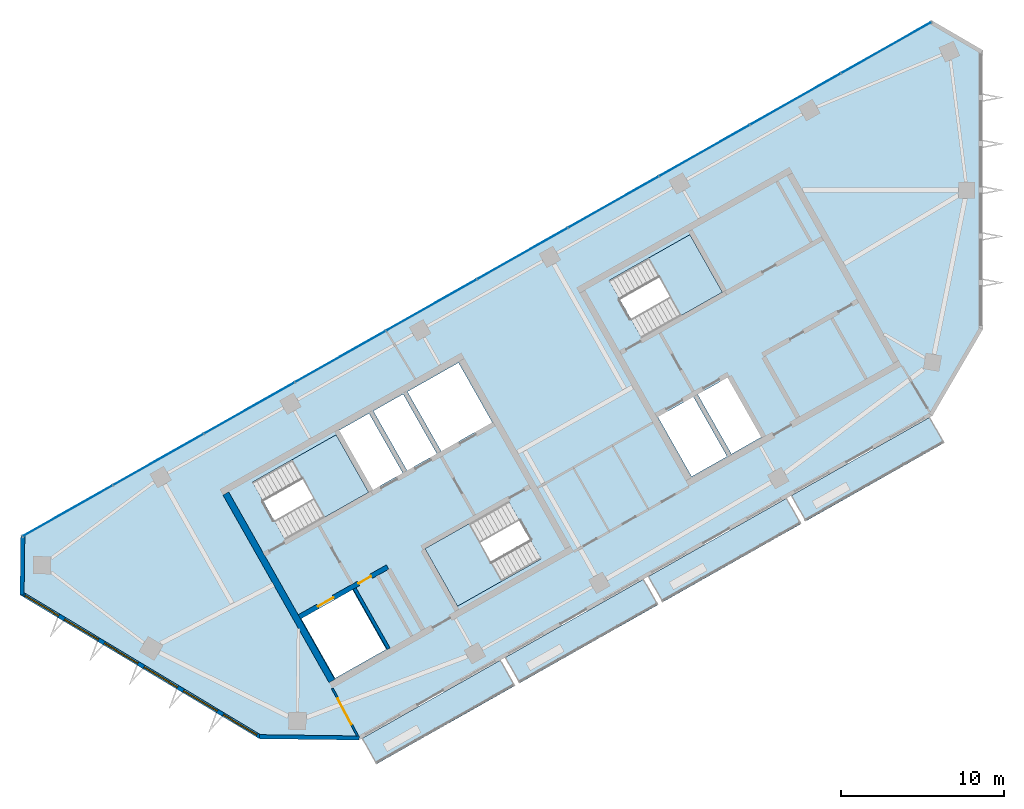
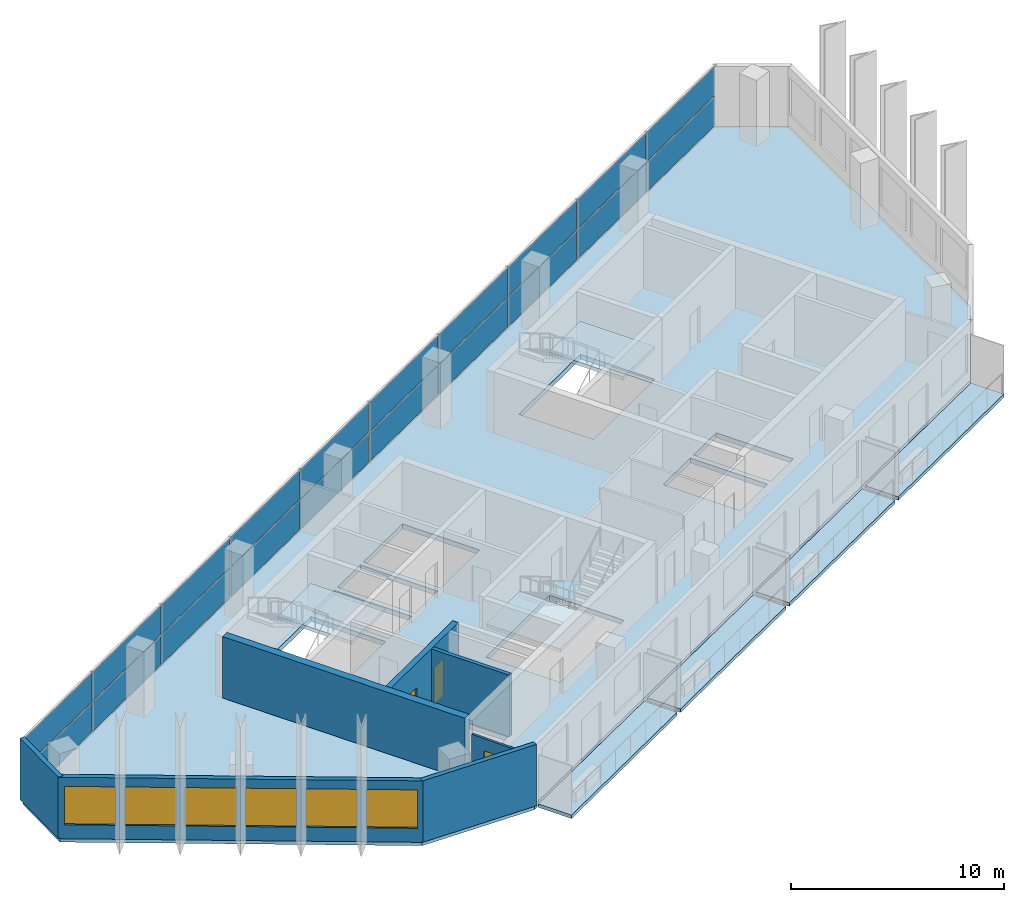
# One storey, part 5 of 10: 20 plates, 8 slabs, 7 walls, 6 windows, 3 doors, 9 openings, 4 elements without a shape of their own.
"""IFC4 building model written with IfcOpenShell, lengths in metres."""

from ifc_helpers import new_model, si_unit, direction, frame, frame_2d, origin, origin_2d, place, context, subcontext, project, spatial, polyline, rectangle, outline, extrude, material, layer, layer_set, type_object, element, fill, aggregate, save


model = new_model("IFC4")

# Units and contexts
model_context = context("Model", 3, precision=1e-05, world=origin(), true_north=direction((0.0, 1.0)))
body_context = subcontext(model_context, "Body", "Model", "MODEL_VIEW")
ifc_project = project(units=[si_unit("LENGTHUNIT", "METRE"), si_unit("AREAUNIT", "SQUARE_METRE"), si_unit("VOLUMEUNIT", "CUBIC_METRE"), si_unit("PLANEANGLEUNIT", "RADIAN"), si_unit("MASSUNIT", "GRAM", prefix="KILO")], contexts=[model_context])

# Site, building, storey
site_placement = place(None, origin())
site = spatial("IfcSite", under=ifc_project, at=site_placement, CompositionType="ELEMENT")
building_placement = place(site_placement, origin())
building = spatial("IfcBuilding", under=site, at=building_placement, Name="Binnacle Exchange Tower", CompositionType="ELEMENT")
storey_placement = place(building_placement, frame((0.0, 0.0, 331.699951171875)))
storey = spatial("IfcBuildingStorey", under=building, at=storey_placement, Name="L75", CompositionType="ELEMENT", Elevation=331.699951171875)

# Slabs
ifc_material_1 = material(Name="Concrete C35/45", Category="concrete")
ifc_layer_1 = layer(ifc_material_1, 0.199951171875)
ifc_layer_set_1 = layer_set([ifc_layer_1], Name="BALCONY SLAB 200")
slab_type_1 = type_object("IfcSlabType", Name="BALCONY SLAB 200", PredefinedType="FLOOR", material=ifc_layer_set_1)
slab_1_placement = place(storey_placement, frame((0.0, 0.0, -0.199951171875)))
element("IfcSlab", 1, at=slab_1_placement, inside=storey, type_object=slab_type_1, Name="Balcony BA-H07-00 L75", PredefinedType="FLOOR", context=body_context, shape_type="SweptSolid", body=[
    extrude(outline(polyline([(-37.90576171875, 26.410400390625), (-29.40380859375, 31.220458984375), (-28.517578125, 29.65380859375), (-37.019287109375, 24.84375), (-37.90576171875, 26.410400390625)])), origin(), (0.0, 0.0, 1.0), 0.199951171875),
])
slab_2_placement = place(storey_placement, frame((0.0, 0.0, -0.199951171875)))
element("IfcSlab", 2, at=slab_2_placement, inside=storey, type_object=slab_type_1, Name="Balcony BA-H07-01 L75", PredefinedType="FLOOR", context=body_context, shape_type="SweptSolid", body=[
    extrude(outline(polyline([(-29.142822265625, 31.3681640625), (-20.64111328125, 36.17822265625), (-19.754638671875, 34.611572265625), (-28.25634765625, 29.801513671875), (-29.142822265625, 31.3681640625)])), origin(), (0.0, 0.0, 1.0), 0.199951171875),
])
slab_3_placement = place(storey_placement, frame((0.0, 0.0, -0.199951171875)))
element("IfcSlab", 3, at=slab_3_placement, inside=storey, type_object=slab_type_1, Name="Balcony BA-H07-02 L75", PredefinedType="FLOOR", context=body_context, shape_type="SweptSolid", body=[
    extrude(outline(polyline([(-20.3798828125, 36.325927734375), (-11.878173828125, 41.135986328125), (-10.99169921875, 39.5693359375), (-19.493408203125, 34.759521484375), (-20.3798828125, 36.325927734375)])), origin(), (0.0, 0.0, 1.0), 0.199951171875),
])
slab_4_placement = place(storey_placement, frame((0.0, 0.0, -0.199951171875)))
element("IfcSlab", 4, at=slab_4_placement, inside=storey, type_object=slab_type_1, Name="Balcony BA-H07-03 L75", PredefinedType="FLOOR", context=body_context, shape_type="SweptSolid", body=[
    extrude(outline(polyline([(-11.616943359375, 41.28369140625), (-3.115234375, 46.093994140625), (-2.22900390625, 44.527099609375), (-10.730712890625, 39.717041015625), (-11.616943359375, 41.28369140625)])), origin(), (0.0, 0.0, 1.0), 0.199951171875),
])

# Curtain wall, plates
ifc_material_2 = material(Name="Bronze anodised aluminium frame", Category="aluminium")
curtain_wall_type = type_object("IfcCurtainWallType", Name="External wall - curtain wall executive floors", PredefinedType="NOTDEFINED", material=ifc_material_2)
curtain_wall_placement = place(storey_placement, origin())
curtain_wall = element("IfcCurtainWall", 5, at=curtain_wall_placement, inside=storey, type_object=curtain_wall_type, Name="External wall curtain wall CW4-H03 L75", PredefinedType="NOTDEFINED")
ifc_material_3 = material(Name="Glass", Category="glass")
ifc_layer_2 = layer(ifc_material_3, 0.031982421875)
ifc_layer_set_2 = layer_set([ifc_layer_2], Name="CW4 GLASS PANEL 32")
plate_type = type_object("IfcPlateType", Name="CW4 GLASS PANEL 32", PredefinedType="CURTAIN_PANEL", material=ifc_layer_set_2)
plate_1_placement = place(storey_placement, frame((-5.786376953125, 68.72607421875, 0.050048828125), z_axis=(0.0, 0.0, 1.0), x_axis=(-0.870355581136, -0.492423763019, 0.0)))
plate_1 = element("IfcPlate", 6, at=plate_1_placement, type_object=plate_type, Name="CW4-H03 panel 1.1", PredefinedType="CURTAIN_PANEL", context=body_context, shape_type="SweptSolid", body=[
    extrude(rectangle(XDim=6.30029296875, YDim=0.031982421875, at=origin_2d()), origin(), (0.0, 0.0, 1.0), 1.68505859375),
])
plate_2_placement = place(storey_placement, frame((-5.786376953125, 68.72607421875, 1.784912109375), z_axis=(0.0, 0.0, 1.0), x_axis=(-0.870355581136, -0.492423763019, 0.0)))
plate_2 = element("IfcPlate", 7, at=plate_2_placement, type_object=plate_type, Name="CW4-H03 panel 1.2", PredefinedType="CURTAIN_PANEL", context=body_context, shape_type="SweptSolid", body=[
    extrude(rectangle(XDim=6.30029296875, YDim=0.031982421875, at=origin_2d()), origin(), (0.0, 0.0, 1.0), 1.68505859375),
])
plate_3_placement = place(storey_placement, frame((-11.345947265625, 65.580810546875, 0.050048828125), z_axis=(0.0, 0.0, 1.0), x_axis=(-0.870355581136, -0.492423763019, 0.0)))
plate_3 = element("IfcPlate", 8, at=plate_3_placement, type_object=plate_type, Name="CW4-H03 panel 2.1", PredefinedType="CURTAIN_PANEL", context=body_context, shape_type="SweptSolid", body=[
    extrude(rectangle(XDim=6.335205078125, YDim=0.031982421875, at=origin_2d()), origin(), (0.0, 0.0, 1.0), 1.68505859375),
])
plate_4_placement = place(storey_placement, frame((-11.345947265625, 65.580810546875, 1.784912109375), z_axis=(0.0, 0.0, 1.0), x_axis=(-0.870355581136, -0.492423763019, 0.0)))
plate_4 = element("IfcPlate", 9, at=plate_4_placement, type_object=plate_type, Name="CW4-H03 panel 2.2", PredefinedType="CURTAIN_PANEL", context=body_context, shape_type="SweptSolid", body=[
    extrude(rectangle(XDim=6.335205078125, YDim=0.031982421875, at=origin_2d()), origin(), (0.0, 0.0, 1.0), 1.68505859375),
])
plate_5_placement = place(storey_placement, frame((-16.9208984375, 62.426513671875, 0.050048828125), z_axis=(0.0, 0.0, 1.0), x_axis=(-0.870355581136, -0.492423763019, 0.0)))
plate_5 = element("IfcPlate", 10, at=plate_5_placement, type_object=plate_type, Name="CW4-H03 panel 3.1", PredefinedType="CURTAIN_PANEL", context=body_context, shape_type="SweptSolid", body=[
    extrude(rectangle(XDim=6.335205078125, YDim=0.031982421875, at=origin_2d()), origin(), (0.0, 0.0, 1.0), 1.68505859375),
])
plate_6_placement = place(storey_placement, frame((-16.9208984375, 62.426513671875, 1.784912109375), z_axis=(0.0, 0.0, 1.0), x_axis=(-0.870355581136, -0.492423763019, 0.0)))
plate_6 = element("IfcPlate", 11, at=plate_6_placement, type_object=plate_type, Name="CW4-H03 panel 3.2", PredefinedType="CURTAIN_PANEL", context=body_context, shape_type="SweptSolid", body=[
    extrude(rectangle(XDim=6.335205078125, YDim=0.031982421875, at=origin_2d()), origin(), (0.0, 0.0, 1.0), 1.68505859375),
])
plate_7_placement = place(storey_placement, frame((-22.49560546875, 59.2724609375, 0.050048828125), z_axis=(0.0, 0.0, 1.0), x_axis=(-0.870355581136, -0.492423763019, 0.0)))
plate_7 = element("IfcPlate", 12, at=plate_7_placement, type_object=plate_type, Name="CW4-H03 panel 4.1", PredefinedType="CURTAIN_PANEL", context=body_context, shape_type="SweptSolid", body=[
    extrude(rectangle(XDim=6.335205078125, YDim=0.031982421875, at=origin_2d()), origin(), (0.0, 0.0, 1.0), 1.68505859375),
])
plate_8_placement = place(storey_placement, frame((-22.49560546875, 59.2724609375, 1.784912109375), z_axis=(0.0, 0.0, 1.0), x_axis=(-0.870355581136, -0.492423763019, 0.0)))
plate_8 = element("IfcPlate", 13, at=plate_8_placement, type_object=plate_type, Name="CW4-H03 panel 4.2", PredefinedType="CURTAIN_PANEL", context=body_context, shape_type="SweptSolid", body=[
    extrude(rectangle(XDim=6.335205078125, YDim=0.031982421875, at=origin_2d()), origin(), (0.0, 0.0, 1.0), 1.68505859375),
])
plate_9_placement = place(storey_placement, frame((-28.070556640625, 56.118408203125, 0.050048828125), z_axis=(0.0, 0.0, 1.0), x_axis=(-0.870355581136, -0.492423763019, 0.0)))
plate_9 = element("IfcPlate", 14, at=plate_9_placement, type_object=plate_type, Name="CW4-H03 panel 5.1", PredefinedType="CURTAIN_PANEL", context=body_context, shape_type="SweptSolid", body=[
    extrude(rectangle(XDim=6.335205078125, YDim=0.031982421875, at=origin_2d()), origin(), (0.0, 0.0, 1.0), 1.68505859375),
])
plate_10_placement = place(storey_placement, frame((-28.070556640625, 56.118408203125, 1.784912109375), z_axis=(0.0, 0.0, 1.0), x_axis=(-0.870355581136, -0.492423763019, 0.0)))
plate_10 = element("IfcPlate", 15, at=plate_10_placement, type_object=plate_type, Name="CW4-H03 panel 5.2", PredefinedType="CURTAIN_PANEL", context=body_context, shape_type="SweptSolid", body=[
    extrude(rectangle(XDim=6.335205078125, YDim=0.031982421875, at=origin_2d()), origin(), (0.0, 0.0, 1.0), 1.68505859375),
])
plate_11_placement = place(storey_placement, frame((-33.6455078125, 52.96435546875, 0.050048828125), z_axis=(0.0, 0.0, 1.0), x_axis=(-0.870355581136, -0.492423763019, 0.0)))
plate_11 = element("IfcPlate", 16, at=plate_11_placement, type_object=plate_type, Name="CW4-H03 panel 6.1", PredefinedType="CURTAIN_PANEL", context=body_context, shape_type="SweptSolid", body=[
    extrude(rectangle(XDim=6.335205078125, YDim=0.031982421875, at=origin_2d()), origin(), (0.0, 0.0, 1.0), 1.68505859375),
])
plate_12_placement = place(storey_placement, frame((-33.6455078125, 52.96435546875, 1.784912109375), z_axis=(0.0, 0.0, 1.0), x_axis=(-0.870355581136, -0.492423763019, 0.0)))
plate_12 = element("IfcPlate", 17, at=plate_12_placement, type_object=plate_type, Name="CW4-H03 panel 6.2", PredefinedType="CURTAIN_PANEL", context=body_context, shape_type="SweptSolid", body=[
    extrude(rectangle(XDim=6.335205078125, YDim=0.031982421875, at=origin_2d()), origin(), (0.0, 0.0, 1.0), 1.68505859375),
])
plate_13_placement = place(storey_placement, frame((-39.22021484375, 49.810302734375, 0.050048828125), z_axis=(0.0, 0.0, 1.0), x_axis=(-0.870355581136, -0.492423763019, 0.0)))
plate_13 = element("IfcPlate", 18, at=plate_13_placement, type_object=plate_type, Name="CW4-H03 panel 7.1", PredefinedType="CURTAIN_PANEL", context=body_context, shape_type="SweptSolid", body=[
    extrude(rectangle(XDim=6.335205078125, YDim=0.031982421875, at=origin_2d()), origin(), (0.0, 0.0, 1.0), 1.68505859375),
])
plate_14_placement = place(storey_placement, frame((-39.22021484375, 49.810302734375, 1.784912109375), z_axis=(0.0, 0.0, 1.0), x_axis=(-0.870355581136, -0.492423763019, 0.0)))
plate_14 = element("IfcPlate", 19, at=plate_14_placement, type_object=plate_type, Name="CW4-H03 panel 7.2", PredefinedType="CURTAIN_PANEL", context=body_context, shape_type="SweptSolid", body=[
    extrude(rectangle(XDim=6.335205078125, YDim=0.031982421875, at=origin_2d()), origin(), (0.0, 0.0, 1.0), 1.68505859375),
])
plate_15_placement = place(storey_placement, frame((-44.795166015625, 46.656005859375, 0.050048828125), z_axis=(0.0, 0.0, 1.0), x_axis=(-0.870355581136, -0.492423763019, 0.0)))
plate_15 = element("IfcPlate", 20, at=plate_15_placement, type_object=plate_type, Name="CW4-H03 panel 8.1", PredefinedType="CURTAIN_PANEL", context=body_context, shape_type="SweptSolid", body=[
    extrude(rectangle(XDim=6.335205078125, YDim=0.031982421875, at=origin_2d()), origin(), (0.0, 0.0, 1.0), 1.68505859375),
])
plate_16_placement = place(storey_placement, frame((-44.795166015625, 46.656005859375, 1.784912109375), z_axis=(0.0, 0.0, 1.0), x_axis=(-0.870355581136, -0.492423763019, 0.0)))
plate_16 = element("IfcPlate", 21, at=plate_16_placement, type_object=plate_type, Name="CW4-H03 panel 8.2", PredefinedType="CURTAIN_PANEL", context=body_context, shape_type="SweptSolid", body=[
    extrude(rectangle(XDim=6.335205078125, YDim=0.031982421875, at=origin_2d()), origin(), (0.0, 0.0, 1.0), 1.68505859375),
])
plate_17_placement = place(storey_placement, frame((-50.369873046875, 43.501953125, 0.050048828125), z_axis=(0.0, 0.0, 1.0), x_axis=(-0.870355581136, -0.492423763019, 0.0)))
plate_17 = element("IfcPlate", 22, at=plate_17_placement, type_object=plate_type, Name="CW4-H03 panel 9.1", PredefinedType="CURTAIN_PANEL", context=body_context, shape_type="SweptSolid", body=[
    extrude(rectangle(XDim=6.335205078125, YDim=0.031982421875, at=origin_2d()), origin(), (0.0, 0.0, 1.0), 1.68505859375),
])
plate_18_placement = place(storey_placement, frame((-50.369873046875, 43.501953125, 1.784912109375), z_axis=(0.0, 0.0, 1.0), x_axis=(-0.870355581136, -0.492423763019, 0.0)))
plate_18 = element("IfcPlate", 23, at=plate_18_placement, type_object=plate_type, Name="CW4-H03 panel 9.2", PredefinedType="CURTAIN_PANEL", context=body_context, shape_type="SweptSolid", body=[
    extrude(rectangle(XDim=6.335205078125, YDim=0.031982421875, at=origin_2d()), origin(), (0.0, 0.0, 1.0), 1.68505859375),
])
plate_19_placement = place(storey_placement, frame((-55.9296875, 40.3564453125, 0.050048828125), z_axis=(0.0, 0.0, 1.0), x_axis=(-0.870355581136, -0.492423763019, 0.0)))
plate_19 = element("IfcPlate", 24, at=plate_19_placement, type_object=plate_type, Name="CW4-H03 panel 10.1", PredefinedType="CURTAIN_PANEL", context=body_context, shape_type="SweptSolid", body=[
    extrude(rectangle(XDim=6.30029296875, YDim=0.031982421875, at=origin_2d()), origin(), (0.0, 0.0, 1.0), 1.68505859375),
])
plate_20_placement = place(storey_placement, frame((-55.9296875, 40.3564453125, 1.784912109375), z_axis=(0.0, 0.0, 1.0), x_axis=(-0.870355581136, -0.492423763019, 0.0)))
plate_20 = element("IfcPlate", 25, at=plate_20_placement, type_object=plate_type, Name="CW4-H03 panel 10.2", PredefinedType="CURTAIN_PANEL", context=body_context, shape_type="SweptSolid", body=[
    extrude(rectangle(XDim=6.30029296875, YDim=0.031982421875, at=origin_2d()), origin(), (0.0, 0.0, 1.0), 1.68505859375),
])
aggregate(curtain_wall, [plate_1, plate_2, plate_3, plate_4, plate_5, plate_6, plate_7, plate_8, plate_9, plate_10, plate_11, plate_12, plate_13, plate_14, plate_15, plate_16, plate_17, plate_18, plate_19, plate_20])

# Slab
ifc_layer_3 = layer(ifc_material_1, 0.280029296875)
ifc_layer_set_3 = layer_set([ifc_layer_3], Name="Floor slab 280 Concrete C35/45")
slab_type_2 = type_object("IfcSlabType", Name="Floor slab 280 Concrete C35/45", PredefinedType="FLOOR", material=ifc_layer_set_3)
slab_5_placement = place(storey_placement, frame((0.0, 0.0, -0.280029296875)))
element("IfcSlab", 26, at=slab_5_placement, inside=storey, type_object=slab_type_2, Name="S:SL:L75:01", PredefinedType="FLOOR", context=body_context, shape_type="SweptSolid", body=[
    extrude(outline(polyline([(-38.097900390625, 26.4453125), (-44.14404296875, 26.5244140625), (-58.716064453125, 35.280029296875), (-58.669921875, 38.80615234375), (-3.046142578125, 70.276611328125), (0.0, 68.5), (0.0, 51.5), (-3.046142578125, 46.276611328125), (-38.097900390625, 26.4453125)]), holes=[polyline([(-38.4794921875, 35.529296875), (-41.61279296875, 33.756591796875), (-39.544677734375, 30.10107421875), (-36.411376953125, 31.873779296875), (-38.4794921875, 35.529296875)]), polyline([(-32.04638671875, 34.515625), (-26.9287109375, 37.4111328125), (-28.923095703125, 40.93603515625), (-34.040771484375, 38.04052734375), (-32.04638671875, 34.515625)]), polyline([(-39.480712890625, 45.01611328125), (-44.598388671875, 42.12060546875), (-42.604248046875, 38.595703125), (-37.486572265625, 41.4912109375), (-39.480712890625, 45.01611328125)]), polyline([(-37.4658203125, 46.32861328125), (-39.293701171875, 45.29443359375), (-37.225341796875, 41.638916015625), (-35.397705078125, 42.673095703125), (-37.4658203125, 46.32861328125)]), polyline([(-17.598876953125, 47.343017578125), (-19.77490234375, 46.11181640625), (-17.70654296875, 42.456298828125), (-15.53076171875, 43.6875), (-17.598876953125, 47.343017578125)]), polyline([(-35.376953125, 47.51025390625), (-37.20458984375, 46.476318359375), (-35.136474609375, 42.82080078125), (-33.308837890625, 43.854736328125), (-35.376953125, 47.51025390625)]), polyline([(-15.510009765625, 48.52490234375), (-17.337890625, 47.49072265625), (-15.26953125, 43.835205078125), (-13.44189453125, 44.869384765625), (-15.510009765625, 48.52490234375)]), polyline([(-29.914306640625, 45.775390625), (-31.982666015625, 49.430908203125), (-35.115966796875, 47.657958984375), (-33.047607421875, 44.00244140625), (-29.914306640625, 45.775390625)]), polyline([(-15.822509765625, 53.748046875), (-17.81689453125, 57.27294921875), (-22.760498046875, 54.47607421875), (-20.76611328125, 50.950927734375), (-15.822509765625, 53.748046875)])]), origin(), (0.0, 0.0, 1.0), 0.280029296875),
])

# Stair, slab
stair_type = type_object("IfcStairType", Name="STAIR 22 RISERS 173", PredefinedType="HALF_TURN_STAIR", material=ifc_material_1)
stair_1_placement = place(storey_placement, origin())
stair_1 = element("IfcStair", 27, at=stair_1_placement, inside=storey, type_object=stair_type, Name="L75 Escape stair A1", PredefinedType="HALF_TURN_STAIR")
ifc_layer_4 = layer(ifc_material_1, 0.199951171875)
ifc_layer_set_4 = layer_set([ifc_layer_4], Name="STAIR LANDING 200")
slab_type_3 = type_object("IfcSlabType", Name="STAIR LANDING 200", PredefinedType="LANDING", material=ifc_layer_set_4)
slab_6_placement = place(storey_placement, frame((0.0, 0.0, 1.699951171875)))
slab_6 = element("IfcSlab", 28, at=slab_6_placement, type_object=slab_type_3, Name="STA1 landing 1", PredefinedType="LANDING", context=body_context, shape_type="SweptSolid", body=[
    extrude(outline(polyline([(-40.2021484375, 39.954833984375), (-37.486572265625, 41.4912109375), (-39.48095703125, 45.01611328125), (-42.1962890625, 43.479736328125), (-40.2021484375, 39.954833984375)])), origin(), (0.0, 0.0, 1.0), 0.2001953125),
])
aggregate(stair_1, [slab_6])

stair_2_placement = place(storey_placement, origin())
stair_2 = element("IfcStair", 29, at=stair_2_placement, inside=storey, type_object=stair_type, Name="L75 Escape stair A2", PredefinedType="HALF_TURN_STAIR")
slab_7_placement = place(storey_placement, frame((0.0, 0.0, 1.699951171875)))
slab_7 = element("IfcSlab", 30, at=slab_7_placement, type_object=slab_type_3, Name="STA2 landing 1", PredefinedType="LANDING", context=body_context, shape_type="SweptSolid", body=[
    extrude(outline(polyline([(-31.3251953125, 39.576904296875), (-34.040771484375, 38.04052734375), (-32.04638671875, 34.515625), (-29.330810546875, 36.052001953125), (-31.3251953125, 39.576904296875)])), origin(), (0.0, 0.0, 1.0), 0.2001953125),
])
aggregate(stair_2, [slab_7])

stair_3_placement = place(storey_placement, origin())
stair_3 = element("IfcStair", 31, at=stair_3_placement, inside=storey, type_object=stair_type, Name="L75 Escape stair C1", PredefinedType="HALF_TURN_STAIR")
slab_8_placement = place(storey_placement, frame((0.0, 0.0, 1.699951171875)))
slab_8 = element("IfcSlab", 32, at=slab_8_placement, type_object=slab_type_3, Name="STC1 landing 1", PredefinedType="LANDING", context=body_context, shape_type="SweptSolid", body=[
    extrude(outline(polyline([(-18.364013671875, 52.31005859375), (-15.822509765625, 53.748046875), (-17.81689453125, 57.27294921875), (-20.3583984375, 55.8349609375), (-18.364013671875, 52.31005859375)])), origin(), (0.0, 0.0, 1.0), 0.2001953125),
])
aggregate(stair_3, [slab_8])

# Wall, openings, doors
ifc_material_4 = material(Name="Concrete C70/85", Category="concrete")
ifc_layer_5 = layer(ifc_material_4, 0.300048828125)
ifc_layer_set_5 = layer_set([ifc_layer_5], Name="Core wall - front 300")
wall_type_1 = type_object("IfcWallType", Name="Core wall - front 300", PredefinedType="SOLIDWALL", material=ifc_layer_set_5)
wall_1_placement = place(storey_placement, frame((-41.72998046875, 33.862548828125, 0.0), z_axis=(0.0, 0.0, 1.0), x_axis=(0.870350800578, 0.492432212525, 0.0)))
wall_1 = element("IfcWall", 33, at=wall_1_placement, inside=storey, type_object=wall_type_1, Name="Core wall CRWA2", PredefinedType="SOLIDWALL", context=body_context, shape_type="SweptSolid", body=[
    extrude(rectangle(XDim=6.19970703125, YDim=0.300048828125, at=frame_2d((3.099853515625, 0.0))), origin(), (0.0, 0.0, 1.0), 3.52001953125),
])
opening_1_placement = place(wall_1_placement, frame((1.300048828125, 0.0, 0.0)))
opening_1 = element("IfcOpeningElement", 34, at=opening_1_placement, cuts=wall_1, Name="Opening LD12", PredefinedType="OPENING", context=body_context, shape_type="SweptSolid", body=[
    extrude(rectangle(XDim=1.10009765625, YDim=2.10009765625, at=frame_2d((0.550048828125, 1.050048828125))), frame((0.0, 0.159912109375, 0.0), z_axis=(0.0, -1.0, 0.0), x_axis=(1.0, 0.0, 0.0)), (0.0, 0.0, 1.0), 0.320068359375),
])
opening_2_placement = place(wall_1_placement, frame((4.14990234375, 0.0, 0.0)))
opening_2 = element("IfcOpeningElement", 35, at=opening_2_placement, cuts=wall_1, Name="Opening DA14", PredefinedType="OPENING", context=body_context, shape_type="SweptSolid", body=[
    extrude(rectangle(XDim=0.89990234375, YDim=2.10009765625, at=frame_2d((0.449951171875, 1.050048828125))), frame((0.0, 0.159912109375, 0.0), z_axis=(0.0, -1.0, 0.0), x_axis=(1.0, 0.0, 0.0)), (0.0, 0.0, 1.0), 0.320068359375),
])
ifc_material_5 = material(Name="Steel door leaf", Category="steel")
door_type_1 = type_object("IfcDoorType", Name="Fire door - lift landing 1100", OperationType="NOTDEFINED", PredefinedType="DOOR", material=ifc_material_5)
door_1_placement = place(opening_1_placement, origin())
door_1 = element("IfcDoor", 36, at=door_1_placement, inside=storey, type_object=door_type_1, Name="Landing door LD12 L75", OperationType="DOUBLE_DOOR_SLIDING", OverallHeight=2.10009765625, OverallWidth=1.10009765625, PredefinedType="DOOR", context=body_context, shape_type="SweptSolid", body=[
    extrude(rectangle(XDim=1.10009765625, YDim=2.10009765625, at=frame_2d((0.550048828125, 1.050048828125))), frame((0.0, 0.02490234375, 0.0), z_axis=(0.0, -1.0, 0.0), x_axis=(1.0, 0.0, 0.0)), (0.0, 0.0, 1.0), 0.050048828125),
])
fill(opening_1, door_1)
door_type_2 = type_object("IfcDoorType", Name="Fire door 900", OperationType="NOTDEFINED", PredefinedType="DOOR", material=ifc_material_5)
door_2_placement = place(opening_2_placement, frame((0.89990234375, 0.0, 0.0), z_axis=(0.0, 0.0, 1.0), x_axis=(-1.0, 0.0, 0.0)))
door_2 = element("IfcDoor", 37, at=door_2_placement, inside=storey, type_object=door_type_2, Name="Core room door COMMS RISER ROOM", OperationType="SINGLE_SWING_LEFT", OverallHeight=2.10009765625, OverallWidth=0.89990234375, PredefinedType="DOOR", context=body_context, shape_type="SweptSolid", body=[
    extrude(rectangle(XDim=0.89990234375, YDim=2.10009765625, at=frame_2d((0.449951171875, 1.050048828125))), frame((0.0, 0.02490234375, 0.0), z_axis=(0.0, -1.0, 0.0), x_axis=(1.0, 0.0, 0.0)), (0.0, 0.0, 1.0), 0.050048828125),
])
fill(opening_2, door_2)

# Walls
ifc_layer_6 = layer(ifc_material_4, 0.39990234375)
ifc_layer_set_6 = layer_set([ifc_layer_6], Name="Core wall - outer 400")
wall_type_2 = type_object("IfcWallType", Name="Core wall - outer 400", PredefinedType="SOLIDWALL", material=ifc_layer_set_6)
wall_2_placement = place(storey_placement, frame((-46.237548828125, 41.423095703125, 0.0), z_axis=(0.0, 0.0, 1.0), x_axis=(0.492421663121, -0.870356769198, 0.0)))
element("IfcWall", 38, at=wall_2_placement, inside=storey, type_object=wall_type_2, Name="Core wall CRWA7", PredefinedType="SOLIDWALL", context=body_context, shape_type="SweptSolid", body=[
    extrude(rectangle(XDim=13.199951171875, YDim=0.39990234375, at=frame_2d((6.60009765625, 0.0))), origin(), (0.0, 0.0, 1.0), 3.52001953125),
])
ifc_material_6 = material(Name="Bronze aluminium cladding", Category="aluminium")
ifc_layer_7 = layer(ifc_material_6, 0.25)
ifc_layer_set_7 = layer_set([ifc_layer_7], Name="External wall - window wall 250")
wall_type_3 = type_object("IfcWallType", Name="External wall - window wall 250", PredefinedType="STANDARD", material=ifc_layer_set_7)
wall_3_placement = place(storey_placement, frame((-58.717041015625, 35.208251953125, 0.0), z_axis=(0.0, 0.0, 1.0), x_axis=(0.01310512158, 0.999914124207, 0.0)))
element("IfcWall", 39, at=wall_3_placement, inside=storey, type_object=wall_type_3, Name="External wall EW-H04 L75", PredefinedType="STANDARD", context=body_context, shape_type="SweptSolid", body=[
    extrude(rectangle(XDim=3.669921875, YDim=0.25, at=frame_2d((1.8349609375, 0.0))), origin(), (0.0, 0.0, 1.0), 3.52001953125),
])

# Wall, openings, windows
wall_4_placement = place(storey_placement, frame((-44.115234375, 26.507080078125, 0.0), z_axis=(0.0, 0.0, 1.0), x_axis=(-0.857166583633, 0.515039268311, 0.0)))
wall_4 = element("IfcWall", 40, at=wall_4_placement, inside=storey, type_object=wall_type_3, Name="External wall EW-H05 L75", PredefinedType="STANDARD", context=body_context, shape_type="SweptSolid", body=[
    extrude(rectangle(XDim=17.105712890625, YDim=0.25, at=frame_2d((8.552734375, 0.0))), origin(), (0.0, 0.0, 1.0), 3.52001953125),
])
opening_3_placement = place(wall_4_placement, frame((14.4169921875, 0.0, 0.800048828125)))
opening_3 = element("IfcOpeningElement", 41, at=opening_3_placement, cuts=wall_4, Name="Opening WR2", PredefinedType="OPENING", context=body_context, shape_type="SweptSolid", body=[
    extrude(rectangle(XDim=2.39990234375, YDim=2.199951171875, at=frame_2d((1.199951171875, 1.10009765625))), frame((0.0, 0.135009765625, 0.0), z_axis=(0.0, -1.0, 0.0), x_axis=(1.0, 0.0, 0.0)), (0.0, 0.0, 1.0), 0.27001953125),
])
opening_4_placement = place(wall_4_placement, frame((11.583740234375, 0.0, 0.800048828125)))
opening_4 = element("IfcOpeningElement", 42, at=opening_4_placement, cuts=wall_4, Name="Opening WR2", PredefinedType="OPENING", context=body_context, shape_type="SweptSolid", body=[
    extrude(rectangle(XDim=2.39990234375, YDim=2.199951171875, at=frame_2d((1.199951171875, 1.10009765625))), frame((0.0, 0.135009765625, 0.0), z_axis=(0.0, -1.0, 0.0), x_axis=(1.0, 0.0, 0.0)), (0.0, 0.0, 1.0), 0.27001953125),
])
opening_5_placement = place(wall_4_placement, frame((8.75048828125, 0.0, 0.800048828125)))
opening_5 = element("IfcOpeningElement", 43, at=opening_5_placement, cuts=wall_4, Name="Opening WR2", PredefinedType="OPENING", context=body_context, shape_type="SweptSolid", body=[
    extrude(rectangle(XDim=2.39990234375, YDim=2.199951171875, at=frame_2d((1.199951171875, 1.10009765625))), frame((0.0, 0.135009765625, 0.0), z_axis=(0.0, -1.0, 0.0), x_axis=(1.0, 0.0, 0.0)), (0.0, 0.0, 1.0), 0.27001953125),
])
opening_6_placement = place(wall_4_placement, frame((5.9169921875, 0.0, 0.800048828125)))
opening_6 = element("IfcOpeningElement", 44, at=opening_6_placement, cuts=wall_4, Name="Opening WR2", PredefinedType="OPENING", context=body_context, shape_type="SweptSolid", body=[
    extrude(rectangle(XDim=2.39990234375, YDim=2.199951171875, at=frame_2d((1.199951171875, 1.10009765625))), frame((0.0, 0.135009765625, 0.0), z_axis=(0.0, -1.0, 0.0), x_axis=(1.0, 0.0, 0.0)), (0.0, 0.0, 1.0), 0.27001953125),
])
opening_7_placement = place(wall_4_placement, frame((3.083740234375, 0.0, 0.800048828125)))
opening_7 = element("IfcOpeningElement", 45, at=opening_7_placement, cuts=wall_4, Name="Opening WR2", PredefinedType="OPENING", context=body_context, shape_type="SweptSolid", body=[
    extrude(rectangle(XDim=2.39990234375, YDim=2.199951171875, at=frame_2d((1.199951171875, 1.10009765625))), frame((0.0, 0.135009765625, 0.0), z_axis=(0.0, -1.0, 0.0), x_axis=(1.0, 0.0, 0.0)), (0.0, 0.0, 1.0), 0.27001953125),
])
opening_8_placement = place(wall_4_placement, frame((0.25048828125, 0.0, 0.800048828125)))
opening_8 = element("IfcOpeningElement", 46, at=opening_8_placement, cuts=wall_4, Name="Opening WR2", PredefinedType="OPENING", context=body_context, shape_type="SweptSolid", body=[
    extrude(rectangle(XDim=2.39990234375, YDim=2.199951171875, at=frame_2d((1.199951171875, 1.10009765625))), frame((0.0, 0.135009765625, 0.0), z_axis=(0.0, -1.0, 0.0), x_axis=(1.0, 0.0, 0.0)), (0.0, 0.0, 1.0), 0.27001953125),
])
window_type = type_object("IfcWindowType", Name="WR2 WINDOW 2400x2200", PartitioningType="SINGLE_PANEL", PredefinedType="WINDOW", material=ifc_material_2)
window_1_placement = place(opening_3_placement, origin())
window_1 = element("IfcWindow", 47, at=window_1_placement, inside=storey, type_object=window_type, Name="Window WR2 L75", OverallHeight=2.199951171875, OverallWidth=2.39990234375, PartitioningType="SINGLE_PANEL", PredefinedType="WINDOW", context=body_context, shape_type="SweptSolid", body=[
    extrude(rectangle(XDim=2.39990234375, YDim=2.199951171875, at=frame_2d((1.199951171875, 1.10009765625))), frame((0.0, 0.030029296875, 0.0), z_axis=(0.0, -1.0, 0.0), x_axis=(1.0, 0.0, 0.0)), (0.0, 0.0, 1.0), 0.06005859375),
])
fill(opening_3, window_1)
window_2_placement = place(opening_4_placement, origin())
window_2 = element("IfcWindow", 48, at=window_2_placement, inside=storey, type_object=window_type, Name="Window WR2 L75", OverallHeight=2.199951171875, OverallWidth=2.39990234375, PartitioningType="SINGLE_PANEL", PredefinedType="WINDOW", context=body_context, shape_type="SweptSolid", body=[
    extrude(rectangle(XDim=2.39990234375, YDim=2.199951171875, at=frame_2d((1.199951171875, 1.10009765625))), frame((0.0, 0.030029296875, 0.0), z_axis=(0.0, -1.0, 0.0), x_axis=(1.0, 0.0, 0.0)), (0.0, 0.0, 1.0), 0.06005859375),
])
fill(opening_4, window_2)
window_3_placement = place(opening_5_placement, origin())
window_3 = element("IfcWindow", 49, at=window_3_placement, inside=storey, type_object=window_type, Name="Window WR2 L75", OverallHeight=2.199951171875, OverallWidth=2.39990234375, PartitioningType="SINGLE_PANEL", PredefinedType="WINDOW", context=body_context, shape_type="SweptSolid", body=[
    extrude(rectangle(XDim=2.39990234375, YDim=2.199951171875, at=frame_2d((1.199951171875, 1.10009765625))), frame((0.0, 0.030029296875, 0.0), z_axis=(0.0, -1.0, 0.0), x_axis=(1.0, 0.0, 0.0)), (0.0, 0.0, 1.0), 0.06005859375),
])
fill(opening_5, window_3)
window_4_placement = place(opening_6_placement, origin())
window_4 = element("IfcWindow", 50, at=window_4_placement, inside=storey, type_object=window_type, Name="Window WR2 L75", OverallHeight=2.199951171875, OverallWidth=2.39990234375, PartitioningType="SINGLE_PANEL", PredefinedType="WINDOW", context=body_context, shape_type="SweptSolid", body=[
    extrude(rectangle(XDim=2.39990234375, YDim=2.199951171875, at=frame_2d((1.199951171875, 1.10009765625))), frame((0.0, 0.030029296875, 0.0), z_axis=(0.0, -1.0, 0.0), x_axis=(1.0, 0.0, 0.0)), (0.0, 0.0, 1.0), 0.06005859375),
])
fill(opening_6, window_4)
window_5_placement = place(opening_7_placement, origin())
window_5 = element("IfcWindow", 51, at=window_5_placement, inside=storey, type_object=window_type, Name="Window WR2 L75", OverallHeight=2.199951171875, OverallWidth=2.39990234375, PartitioningType="SINGLE_PANEL", PredefinedType="WINDOW", context=body_context, shape_type="SweptSolid", body=[
    extrude(rectangle(XDim=2.39990234375, YDim=2.199951171875, at=frame_2d((1.199951171875, 1.10009765625))), frame((0.0, 0.030029296875, 0.0), z_axis=(0.0, -1.0, 0.0), x_axis=(1.0, 0.0, 0.0)), (0.0, 0.0, 1.0), 0.06005859375),
])
fill(opening_7, window_5)
window_6_placement = place(opening_8_placement, origin())
window_6 = element("IfcWindow", 52, at=window_6_placement, inside=storey, type_object=window_type, Name="Window WR2 L75", OverallHeight=2.199951171875, OverallWidth=2.39990234375, PartitioningType="SINGLE_PANEL", PredefinedType="WINDOW", context=body_context, shape_type="SweptSolid", body=[
    extrude(rectangle(XDim=2.39990234375, YDim=2.199951171875, at=frame_2d((1.199951171875, 1.10009765625))), frame((0.0, 0.030029296875, 0.0), z_axis=(0.0, -1.0, 0.0), x_axis=(1.0, 0.0, 0.0)), (0.0, 0.0, 1.0), 0.06005859375),
])
fill(opening_8, window_6)

# Wall
wall_5_placement = place(storey_placement, frame((-38.06396484375, 26.44482421875, 0.0), z_axis=(0.0, 0.0, 1.0), x_axis=(-0.999914239143, 0.013096349097, 0.0)))
element("IfcWall", 53, at=wall_5_placement, inside=storey, type_object=wall_type_3, Name="External wall EW-H06 L75", PredefinedType="STANDARD", context=body_context, shape_type="SweptSolid", body=[
    extrude(rectangle(XDim=6.114501953125, YDim=0.25, at=frame_2d((3.05712890625, 0.0))), origin(), (0.0, 0.0, 1.0), 3.52001953125),
])

# Wall, opening, door
ifc_material_7 = material(Name="Gypsum partition")
ifc_layer_8 = layer(ifc_material_7, 0.125)
ifc_layer_set_8 = layer_set([ifc_layer_8], Name="Partition 125")
wall_type_4 = type_object("IfcWallType", Name="Partition 125", PredefinedType="PARTITIONING", material=ifc_layer_set_8)
wall_6_placement = place(storey_placement, frame((-39.715087890625, 29.488037109375, 0.0), z_axis=(0.0, 0.0, 1.0), x_axis=(0.469248890304, -0.883065953906, 0.0)))
wall_6 = element("IfcWall", 54, at=wall_6_placement, inside=storey, type_object=wall_type_4, Name="Partition W01", PredefinedType="PARTITIONING", context=body_context, shape_type="SweptSolid", body=[
    extrude(rectangle(XDim=3.30322265625, YDim=0.125, at=frame_2d((1.651611328125, 0.0))), origin(), (0.0, 0.0, 1.0), 2.800048828125),
])
opening_9_placement = place(wall_6_placement, frame((0.699951171875, 0.0, 0.0)))
opening_9 = element("IfcOpeningElement", 55, at=opening_9_placement, cuts=wall_6, Name="Opening DL74-04", PredefinedType="OPENING", context=body_context, shape_type="SweptSolid", body=[
    extrude(rectangle(XDim=1.800048828125, YDim=2.10009765625, at=frame_2d((0.89990234375, 1.050048828125))), frame((0.0, 0.072509765625, 0.0), z_axis=(0.0, -1.0, 0.0), x_axis=(1.0, 0.0, 0.0)), (0.0, 0.0, 1.0), 0.14501953125),
])
ifc_material_8 = material(Name="Timber door leaf", Category="wood")
door_type_3 = type_object("IfcDoorType", Name="Double door 1800", OperationType="NOTDEFINED", PredefinedType="DOOR", material=ifc_material_8)
door_3_placement = place(opening_9_placement, frame((1.800048828125, 0.0, 0.0), z_axis=(0.0, 0.0, 1.0), x_axis=(-1.0, 0.0, 0.0)))
door_3 = element("IfcDoor", 56, at=door_3_placement, inside=storey, type_object=door_type_3, Name="Door DL74-04", OperationType="DOUBLE_DOOR_SINGLE_SWING", OverallHeight=2.10009765625, OverallWidth=1.800048828125, PredefinedType="DOOR", context=body_context, shape_type="SweptSolid", body=[
    extrude(rectangle(XDim=1.800048828125, YDim=2.10009765625, at=frame_2d((0.89990234375, 1.050048828125))), frame((0.0, 0.02490234375, 0.0), z_axis=(0.0, -1.0, 0.0), x_axis=(1.0, 0.0, 0.0)), (0.0, 0.0, 1.0), 0.050048828125),
])
fill(opening_9, door_3)

# Wall
ifc_material_9 = material(Name="Masonry block wall", Category="masonry")
ifc_layer_9 = layer(ifc_material_9, 0.199951171875)
ifc_layer_set_9 = layer_set([ifc_layer_9], Name="Shaft wall 200")
wall_type_5 = type_object("IfcWallType", Name="Shaft wall 200", PredefinedType="SOLIDWALL", material=ifc_layer_set_9)
wall_7_placement = place(storey_placement, frame((-38.348876953125, 35.603271484375, 0.0), z_axis=(0.0, 0.0, 1.0), x_axis=(0.492397924348, -0.870370199454, 0.0)))
element("IfcWall", 57, at=wall_7_placement, inside=storey, type_object=wall_type_5, Name="Core wall CRWA9", PredefinedType="SOLIDWALL", context=body_context, shape_type="SweptSolid", body=[
    extrude(rectangle(XDim=4.250244140625, YDim=0.199951171875, at=frame_2d((2.125, 0.0))), origin(), (0.0, 0.0, 1.0), 3.52001953125),
])

save(model, "model.ifc")
